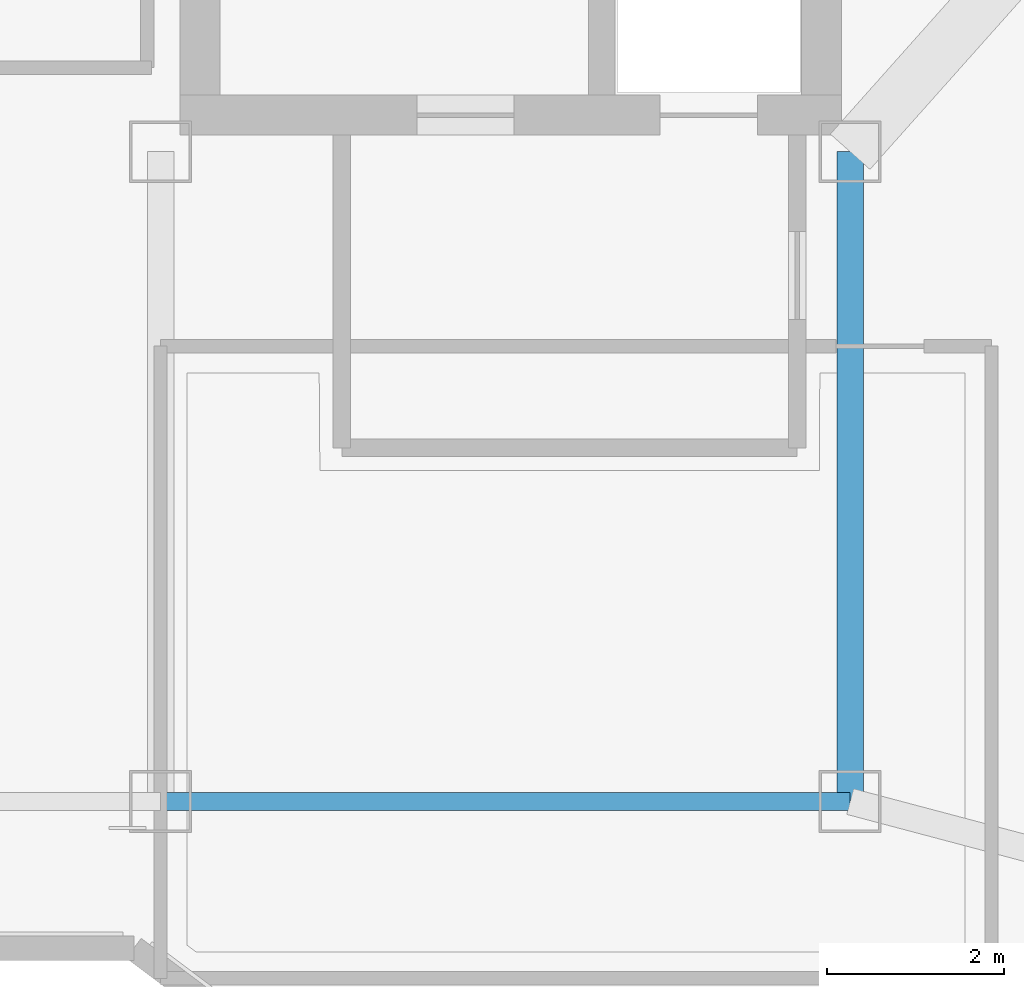
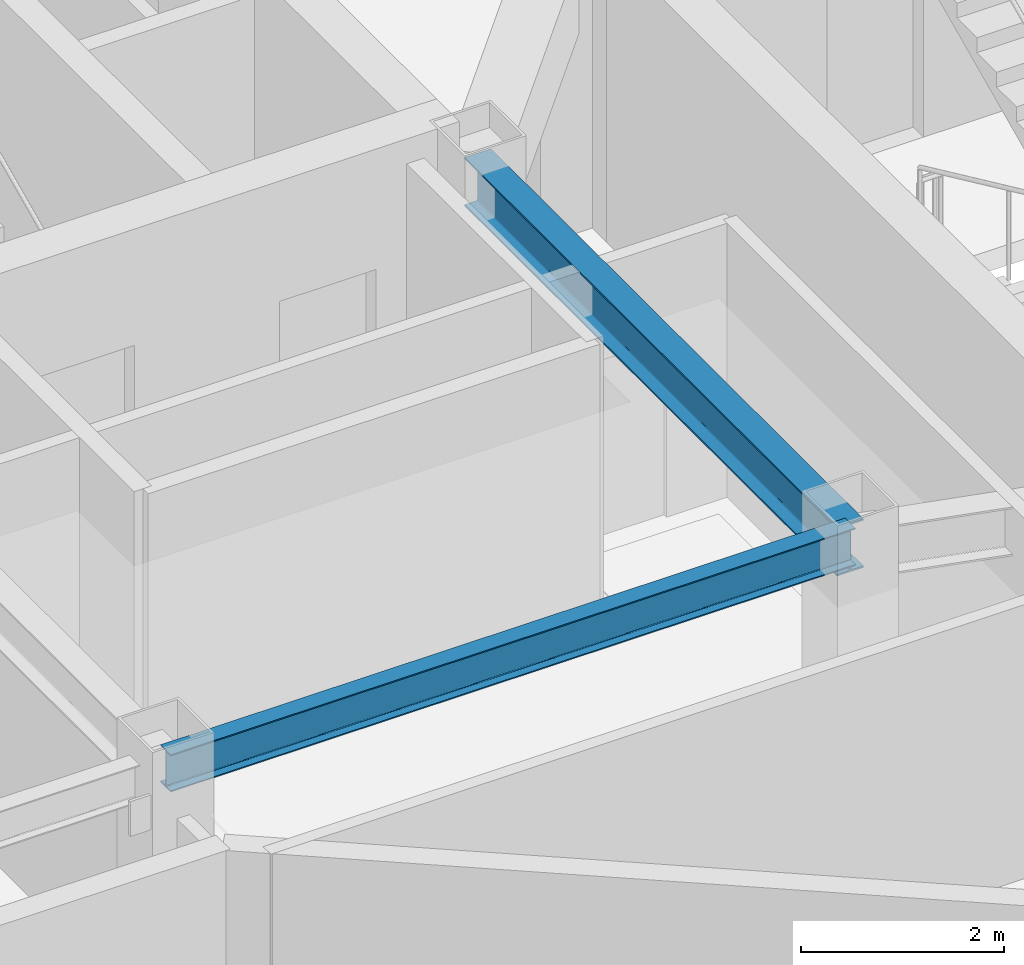
# One storey, part 5 of 25: 2 beams.
"""IFC4 building model written with IfcOpenShell, lengths in metres."""

from ifc_helpers import new_model, si_unit, direction, frame, origin, origin_2d, place, context, subcontext, project, spatial, i_section, extrude, material, material_profile, profile_set, type_object, element, save


model = new_model("IFC4")

# Units and contexts
model_context = context("Model", 3, precision=1e-05, world=origin(), true_north=direction((0.0, 1.0)))
body_context = subcontext(model_context, "Body", "Model", "MODEL_VIEW")
ifc_project = project(units=[si_unit("LENGTHUNIT", "METRE"), si_unit("AREAUNIT", "SQUARE_METRE"), si_unit("VOLUMEUNIT", "CUBIC_METRE"), si_unit("PLANEANGLEUNIT", "RADIAN"), si_unit("MASSUNIT", "GRAM", prefix="KILO")], contexts=[model_context])

# Site, building, storey
site_placement = place(None, origin())
site = spatial("IfcSite", under=ifc_project, at=site_placement, CompositionType="ELEMENT")
building_placement = place(site_placement, origin())
building = spatial("IfcBuilding", under=site, at=building_placement, Name="Hatsunagi Terrace Concourse", CompositionType="ELEMENT")
storey_placement = place(building_placement, frame((0.0, 0.0, 231.14990234375)))
storey = spatial("IfcBuildingStorey", under=building, at=storey_placement, Name="L61", CompositionType="ELEMENT", Elevation=231.14990234375)

# Beams
ifc_material_1 = material(Name="Steel SN490B", Category="steel")
ifc_material_profile_1 = material_profile(ifc_material_1, i_section(OverallWidth=0.300048828125, OverallDepth=0.587890625, WebThickness=0.011962890625, FlangeThickness=0.02001953125, FilletRadius=0.01806640625, at=origin_2d()), Name="H-588x300x12x20")
ifc_profile_set_1 = profile_set([ifc_material_profile_1], Name="Steel SN490B")
beam_type_1 = type_object("IfcBeamType", Name="OfficeHighGirder_H_588x300", PredefinedType="BEAM", material=ifc_profile_set_1)
beam_1_placement = place(storey_placement, frame((33.35009765625, 25.199951171875, 3.006103515625), z_axis=(0.0, 1.0, 0.0), x_axis=(-1.0, 0.0, 0.0)))
element("IfcBeam", 1, at=beam_1_placement, inside=storey, type_object=beam_type_1, Name="Beam G-06 BM-L61-K2CA", PredefinedType="BEAM", context=body_context, shape_type="SweptSolid", body=[
    extrude(i_section(OverallWidth=0.300048828125, OverallDepth=0.587890625, WebThickness=0.011962890625, FlangeThickness=0.02001953125, FilletRadius=0.01806640625, at=origin_2d()), origin(), (0.0, 0.0, 1.0), 7.35009765625),
])
ifc_material_2 = material(Name="Steel SN490B", Category="steel")
ifc_material_profile_2 = material_profile(ifc_material_2, i_section(OverallWidth=0.199951171875, OverallDepth=0.449951171875, WebThickness=0.009033203125, FlangeThickness=0.013916015625, FilletRadius=0.01611328125, at=origin_2d()), Name="H-450x200x9x14")
ifc_profile_set_2 = profile_set([ifc_material_profile_2], Name="Steel SN490B")
beam_type_2 = type_object("IfcBeamType", Name="PerimeterSpandrel_H_450x200", PredefinedType="SPANDREL", material=ifc_profile_set_2)
beam_2_placement = place(storey_placement, frame((25.550048828125, 25.199951171875, 3.0751953125), z_axis=(1.0, 0.0, 0.0), x_axis=(0.0, 1.0, 0.0)))
element("IfcBeam", 2, at=beam_2_placement, inside=storey, type_object=beam_type_2, Name="Beam SP-02 BM-L61-WS-25", PredefinedType="SPANDREL", context=body_context, shape_type="SweptSolid", body=[
    extrude(i_section(OverallWidth=0.199951171875, OverallDepth=0.449951171875, WebThickness=0.009033203125, FlangeThickness=0.013916015625, FilletRadius=0.01611328125, at=origin_2d()), origin(), (0.0, 0.0, 1.0), 7.800048828125),
])

save(model, "model.ifc")
